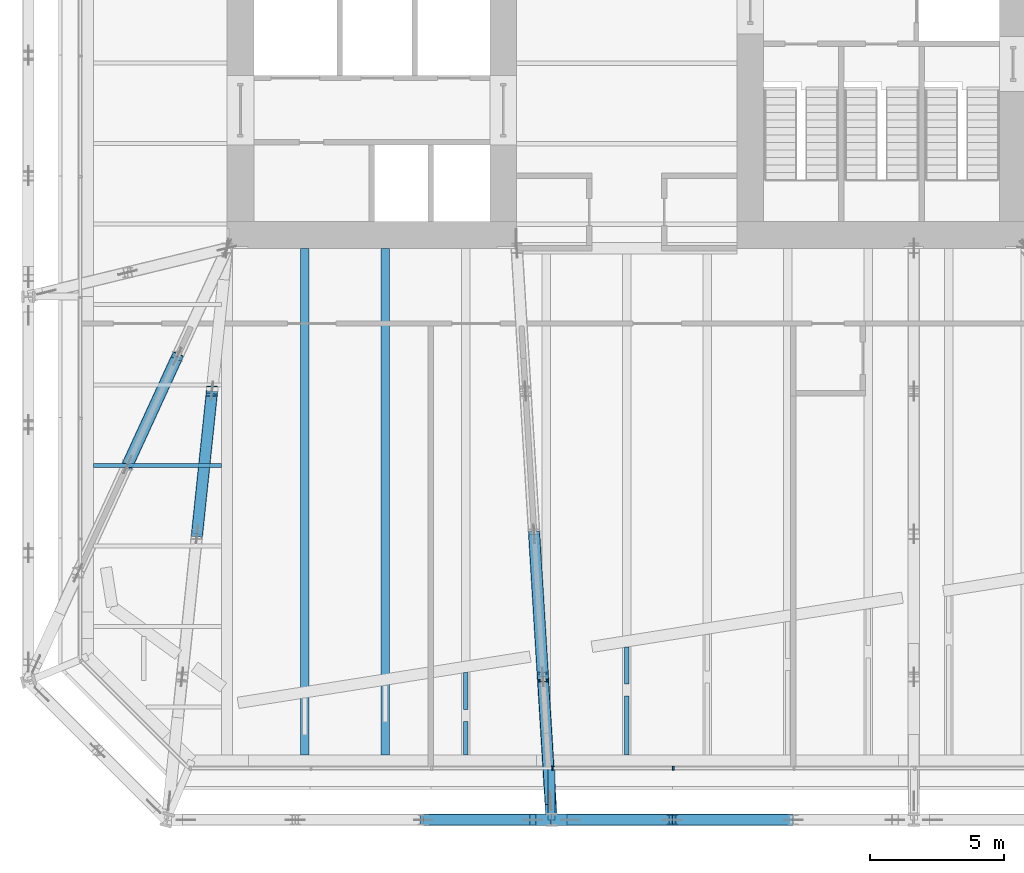
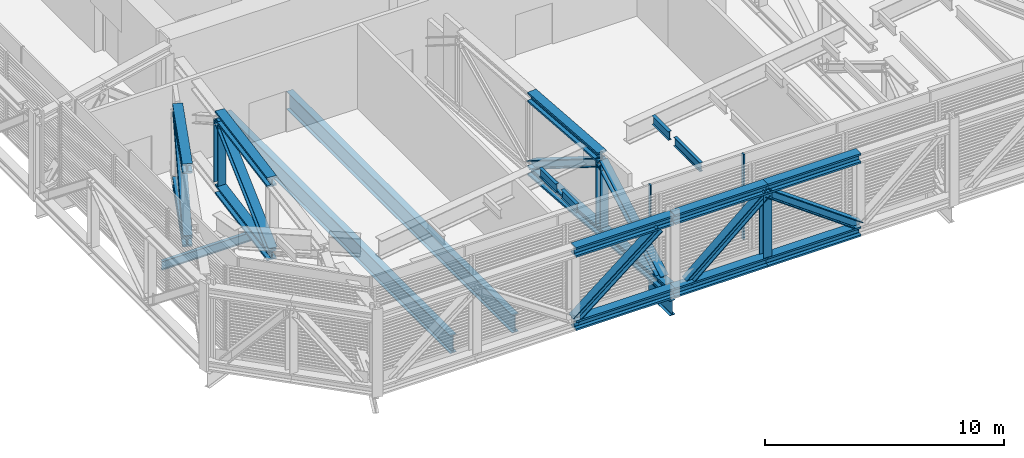
# One storey, part 3 of 31: 21 beams, 12 members, 1 element without a shape of its own.
"""IFC4 building model written with IfcOpenShell, lengths in metres."""

from ifc_helpers import new_model, si_unit, direction, frame, origin, origin_2d, place, context, subcontext, project, spatial, rectangle, i_section, extrude, material, layer, layer_set, material_profile, profile_set, type_object, element, aggregate, save


model = new_model("IFC4")

# Units and contexts
model_context = context("Model", 3, precision=1e-05, world=origin(), true_north=direction((0.0, 1.0)))
body_context = subcontext(model_context, "Body", "Model", "MODEL_VIEW")
ifc_project = project(units=[si_unit("LENGTHUNIT", "METRE"), si_unit("AREAUNIT", "SQUARE_METRE"), si_unit("VOLUMEUNIT", "CUBIC_METRE"), si_unit("PLANEANGLEUNIT", "RADIAN"), si_unit("MASSUNIT", "GRAM", prefix="KILO")], contexts=[model_context])

# Site, building, storey
site_placement = place(None, origin())
site = spatial("IfcSite", under=ifc_project, at=site_placement, CompositionType="ELEMENT")
building_placement = place(site_placement, origin())
building = spatial("IfcBuilding", under=site, at=building_placement, Name="Millrace Tower", CompositionType="ELEMENT")
storey_placement = place(building_placement, frame((0.0, 0.0, 120.39990234375)))
storey = spatial("IfcBuildingStorey", under=building, at=storey_placement, Name="L26", CompositionType="ELEMENT", Elevation=120.39990234375)

# Beams
ifc_material_1 = material(Name="Steel ASTM A992 Grade 50", Category="steel")
ifc_material_profile_1 = material_profile(ifc_material_1, i_section(OverallWidth=0.431884765625, OverallDepth=0.497802734375, WebThickness=0.0556640625, FlangeThickness=0.0888671875, FilletRadius=0.01513671875, at=origin_2d()))
ifc_profile_set_1 = profile_set([ifc_material_profile_1], Name="Steel ASTM A992 Grade 50")
beam_type_1 = type_object("IfcBeamType", Name="Belt truss chord W14x500", PredefinedType="BEAM", material=ifc_profile_set_1)
beam_1_placement = place(storey_placement, frame((-7.576171875, -31.199951171875, 0.2490234375), z_axis=(1.0, 0.0, 0.0), x_axis=(0.0, 1.0, 0.0)))
element("IfcBeam", 1, at=beam_1_placement, inside=storey, type_object=beam_type_1, Name="BLT-L26-R02-B03", PredefinedType="BEAM", context=body_context, shape_type="SweptSolid", body=[
    extrude(i_section(OverallWidth=0.431884765625, OverallDepth=0.497802734375, WebThickness=0.0556640625, FlangeThickness=0.0888671875, FilletRadius=0.01513671875, at=origin_2d()), origin(), (0.0, 0.0, 1.0), 4.776123046875),
])
for number, where, z_axis, x_axis, name in (
    (2, (-2.800048828125, -31.199951171875, 0.2490234375), (1.0, 0.0, 0.0), (0.0, 1.0, 0.0), "BLT-L26-R03-B01"),
    (3, (-2.800048828125, -31.199951171875, 3.9912109375), (1.0, 0.0, 0.0), (0.0, 1.0, 0.0), "BLT-L26-R03-T01"),
    (4, (1.699951171875, -31.199951171875, 0.2490234375), (1.0, 0.0, 0.0), (0.0, 1.0, 0.0), "BLT-L26-R03-B02"),
    (5, (1.699951171875, -31.199951171875, 3.9912109375), (1.0, 0.0, 0.0), (0.0, 1.0, 0.0), "BLT-L26-R03-T02"),
):
    element("IfcBeam", number, at=place(storey_placement, frame(where, z_axis=z_axis, x_axis=x_axis)), inside=storey, type_object=beam_type_1, Name=name, PredefinedType="BEAM", context=body_context, shape_type="SweptSolid", body=[
        extrude(i_section(OverallWidth=0.431884765625, OverallDepth=0.497802734375, WebThickness=0.0556640625, FlangeThickness=0.0888671875, FilletRadius=0.01513671875, at=origin_2d()), origin(), (0.0, 0.0, 1.0), 4.5),
    ])
beam_2_placement = place(storey_placement, frame((-7.576171875, -31.199951171875, 3.9912109375), z_axis=(1.0, 0.0, 0.0), x_axis=(0.0, 1.0, 0.0)))
element("IfcBeam", 6, at=beam_2_placement, inside=storey, type_object=beam_type_1, Name="BLT-L26-R02-T03", PredefinedType="BEAM", context=body_context, shape_type="SweptSolid", body=[
    extrude(i_section(OverallWidth=0.431884765625, OverallDepth=0.497802734375, WebThickness=0.0556640625, FlangeThickness=0.0888671875, FilletRadius=0.01513671875, at=origin_2d()), origin(), (0.0, 0.0, 1.0), 4.730712890625),
])

# Members
ifc_material_2 = material(Name="Steel ASTM A992 Grade 50", Category="steel")
ifc_material_profile_2 = material_profile(ifc_material_2, i_section(OverallWidth=0.4013671875, OverallDepth=0.398681640625, WebThickness=0.02490234375, FlangeThickness=0.03955078125, FilletRadius=0.01513671875, at=origin_2d()))
ifc_profile_set_2 = profile_set([ifc_material_profile_2], Name="Steel ASTM A992 Grade 50")
member_type_1 = type_object("IfcMemberType", Name="Belt truss diagonal W14x211", PredefinedType="BRACE", material=ifc_profile_set_2)
member_1_placement = place(storey_placement, frame((-7.576171875, -31.199951171875, 0.498046875), z_axis=(0.782439131655, 0.0, 0.62272707124), x_axis=(0.0, 1.0, 0.0)))
element("IfcMember", 7, at=member_1_placement, inside=storey, type_object=member_type_1, Name="BLT-L26-R02-D03", PredefinedType="BRACE", context=body_context, shape_type="SweptSolid", body=[
    extrude(i_section(OverallWidth=0.4013671875, OverallDepth=0.398681640625, WebThickness=0.02490234375, FlangeThickness=0.03955078125, FilletRadius=0.01513671875, at=origin_2d()), origin(), (0.0, 0.0, 1.0), 5.20947265625),
])
member_2_placement = place(storey_placement, frame((-2.10009765625, -31.199951171875, 0.498046875), z_axis=(0.760545081281, 0.0, 0.649285129461), x_axis=(0.0, 1.0, 0.0)))
element("IfcMember", 8, at=member_2_placement, inside=storey, type_object=member_type_1, Name="BLT-L26-R03-D01", PredefinedType="BRACE", context=body_context, shape_type="SweptSolid", body=[
    extrude(i_section(OverallWidth=0.4013671875, OverallDepth=0.398681640625, WebThickness=0.02490234375, FlangeThickness=0.03955078125, FilletRadius=0.01513671875, at=origin_2d()), origin(), (0.0, 0.0, 1.0), 4.99658203125),
])
member_3_placement = place(storey_placement, frame((6.199951171875, -31.199951171875, 0.498046875), z_axis=(-0.811180262828, 0.0, 0.584796187742), x_axis=(0.0, -1.0, 0.0)))
element("IfcMember", 9, at=member_3_placement, inside=storey, type_object=member_type_1, Name="BLT-L26-R03-D02", PredefinedType="BRACE", context=body_context, shape_type="SweptSolid", body=[
    extrude(i_section(OverallWidth=0.4013671875, OverallDepth=0.398681640625, WebThickness=0.02490234375, FlangeThickness=0.03955078125, FilletRadius=0.01513671875, at=origin_2d()), origin(), (0.0, 0.0, 1.0), 5.54736328125),
])
ifc_material_3 = material(Name="Steel ASTM A992 Grade 50", Category="steel")
ifc_material_profile_3 = material_profile(ifc_material_3, i_section(OverallWidth=0.398681640625, OverallDepth=0.385986328125, WebThickness=0.02099609375, FlangeThickness=0.033203125, FilletRadius=0.01513671875, at=origin_2d()))
ifc_profile_set_3 = profile_set([ifc_material_profile_3], Name="Steel ASTM A992 Grade 50")
member_type_2 = type_object("IfcMemberType", Name="Belt truss post W14x176", PredefinedType="POST", material=ifc_profile_set_3)
member_4_placement = place(storey_placement, frame((1.699951171875, -31.199951171875, 0.498046875), z_axis=(0.0, 0.0, 1.0), x_axis=(1.0, 0.0, 0.0)))
element("IfcMember", 10, at=member_4_placement, inside=storey, type_object=member_type_2, Name="BLT-L26-R03-V01", PredefinedType="POST", context=body_context, shape_type="SweptSolid", body=[
    extrude(i_section(OverallWidth=0.398681640625, OverallDepth=0.385986328125, WebThickness=0.02099609375, FlangeThickness=0.033203125, FilletRadius=0.01513671875, at=origin_2d()), origin(), (0.0, 0.0, 1.0), 3.244140625),
])

# Curtain wall, members
ifc_material_4 = material(Name="Aluminium and glass", Category="aluminium")
ifc_layer = layer(ifc_material_4, 0.14990234375)
ifc_layer_set = layer_set([ifc_layer], Name="Aluminium and glass")
curtain_wall_type = type_object("IfcCurtainWallType", Name="CW-5 truss and plant storey louvred infill", PredefinedType="NOTDEFINED", material=ifc_layer_set)
curtain_wall_placement = place(storey_placement, origin())
curtain_wall = element("IfcCurtainWall", 11, at=curtain_wall_placement, inside=storey, type_object=curtain_wall_type, Name="Curtain wall B-F02 L26", PredefinedType="NOTDEFINED")
ifc_material_5 = material(Name="Aluminium", Category="aluminium")
ifc_material_profile_4 = material_profile(ifc_material_5, rectangle(XDim=0.06494140625, YDim=0.14990234375, at=origin_2d()))
ifc_profile_set_4 = profile_set([ifc_material_profile_4], Name="Aluminium")
member_type_3 = type_object("IfcMemberType", Name="CW-5 truss and plant storey louvred infill mullion", PredefinedType="MULLION", material=ifc_profile_set_4)
member_5_placement = place(storey_placement, frame((-2.767578125, -29.27490234375, 0.14013671875), z_axis=(0.0, 0.0, 1.0), x_axis=(1.0, 0.0, 0.0)))
member_5 = element("IfcMember", 12, at=member_5_placement, type_object=member_type_3, Name="CW5 mullion B-F02.4", PredefinedType="MULLION", context=body_context, shape_type="SweptSolid", body=[
    extrude(rectangle(XDim=0.06494140625, YDim=0.14990234375, at=origin_2d()), origin(), (0.0, 0.0, 1.0), 4.35986328125),
])
member_6_placement = place(storey_placement, frame((1.732421875, -29.27490234375, 0.14013671875), z_axis=(0.0, 0.0, 1.0), x_axis=(1.0, 0.0, 0.0)))
member_6 = element("IfcMember", 13, at=member_6_placement, type_object=member_type_3, Name="CW5 mullion B-F02.5", PredefinedType="MULLION", context=body_context, shape_type="SweptSolid", body=[
    extrude(rectangle(XDim=0.06494140625, YDim=0.14990234375, at=origin_2d()), origin(), (0.0, 0.0, 1.0), 4.35986328125),
])
aggregate(curtain_wall, [member_5, member_6])

# Beams
ifc_material_6 = material(Name="Steel ASTM A992 Grade 50", Category="steel")
ifc_material_profile_5 = material_profile(ifc_material_6, i_section(OverallWidth=0.15234375, OverallDepth=0.449462890625, WebThickness=0.007568359375, FlangeThickness=0.0107421875, FilletRadius=0.01025390625, at=origin_2d()))
ifc_profile_set_5 = profile_set([ifc_material_profile_5], Name="Steel ASTM A992 Grade 50")
beam_type_2 = type_object("IfcBeamType", Name="Floor beam W18x35", PredefinedType="JOIST", material=ifc_profile_set_5)
beam_3_placement = place(storey_placement, frame((-19.87841796875, -18.0, -0.474609375), z_axis=(1.0, 0.0, 0.0), x_axis=(0.0, 1.0, 0.0)))
element("IfcBeam", 14, at=beam_3_placement, inside=storey, type_object=beam_type_2, Name="BM-B-L26-S1-S007", PredefinedType="JOIST", context=body_context, shape_type="SweptSolid", body=[
    extrude(i_section(OverallWidth=0.15234375, OverallDepth=0.449462890625, WebThickness=0.007568359375, FlangeThickness=0.0107421875, FilletRadius=0.01025390625, at=origin_2d()), origin(), (0.0, 0.0, 1.0), 4.766357421875),
])
beam_4_placement = place(storey_placement, frame((-6.0, -28.7783203125, 4.115234375), z_axis=(0.0, 1.0, 0.0), x_axis=(-1.0, 0.0, 0.0)))
element("IfcBeam", 15, at=beam_4_placement, inside=storey, type_object=beam_type_2, Name="BM-B-L26-R1-S005-a", PredefinedType="JOIST", context=body_context, shape_type="SweptSolid", body=[
    extrude(i_section(OverallWidth=0.15234375, OverallDepth=0.449462890625, WebThickness=0.007568359375, FlangeThickness=0.0107421875, FilletRadius=0.01025390625, at=origin_2d()), origin(), (0.0, 0.0, 1.0), 1.243408203125),
])
beam_5_placement = place(storey_placement, frame((-6.0, -27.08154296875, 4.115234375), z_axis=(0.0, 1.0, 0.0), x_axis=(-1.0, 0.0, 0.0)))
element("IfcBeam", 16, at=beam_5_placement, inside=storey, type_object=beam_type_2, Name="BM-B-L26-R1-S005-b", PredefinedType="JOIST", context=body_context, shape_type="SweptSolid", body=[
    extrude(i_section(OverallWidth=0.15234375, OverallDepth=0.449462890625, WebThickness=0.007568359375, FlangeThickness=0.0107421875, FilletRadius=0.01025390625, at=origin_2d()), origin(), (0.0, 0.0, 1.0), 1.371337890625),
])
beam_6_placement = place(storey_placement, frame((0.0, -28.7783203125, 4.115234375), z_axis=(0.0, 1.0, 0.0), x_axis=(-1.0, 0.0, 0.0)))
element("IfcBeam", 17, at=beam_6_placement, inside=storey, type_object=beam_type_2, Name="BM-B-L26-R1-S007-a", PredefinedType="JOIST", context=body_context, shape_type="SweptSolid", body=[
    extrude(i_section(OverallWidth=0.15234375, OverallDepth=0.449462890625, WebThickness=0.007568359375, FlangeThickness=0.0107421875, FilletRadius=0.01025390625, at=origin_2d()), origin(), (0.0, 0.0, 1.0), 2.19384765625),
])
beam_7_placement = place(storey_placement, frame((0.0, -26.13134765625, 4.115234375), z_axis=(0.0, 1.0, 0.0), x_axis=(-1.0, 0.0, 0.0)))
element("IfcBeam", 18, at=beam_7_placement, inside=storey, type_object=beam_type_2, Name="BM-B-L26-R1-S007-b", PredefinedType="JOIST", context=body_context, shape_type="SweptSolid", body=[
    extrude(i_section(OverallWidth=0.15234375, OverallDepth=0.449462890625, WebThickness=0.007568359375, FlangeThickness=0.0107421875, FilletRadius=0.01025390625, at=origin_2d()), origin(), (0.0, 0.0, 1.0), 1.371337890625),
])
ifc_material_7 = material(Name="Steel ASTM A992 Grade 50", Category="steel")
ifc_material_profile_6 = material_profile(ifc_material_7, i_section(OverallWidth=0.307373046875, OverallDepth=0.927001953125, WebThickness=0.01953125, FlangeThickness=0.031982421875, FilletRadius=0.01904296875, at=origin_2d()))
ifc_profile_set_6 = profile_set([ifc_material_profile_6], Name="Steel ASTM A992 Grade 50")
beam_type_3 = type_object("IfcBeamType", Name="Floor beam W36x194", PredefinedType="JOIST", material=ifc_profile_set_6)
for number, where, z_axis, x_axis, name in (
    (19, (-12.0, -28.7783203125, -0.71337890625), (0.0, 1.0, 0.0), (-1.0, 0.0, 0.0), "BM-B-L26-S1-S041"),
    (20, (-9.0, -28.7783203125, -0.71337890625), (0.0, 1.0, 0.0), (-1.0, 0.0, 0.0), "BM-B-L26-S1-S043"),
):
    element("IfcBeam", number, at=place(storey_placement, frame(where, z_axis=z_axis, x_axis=x_axis)), inside=storey, type_object=beam_type_3, Name=name, PredefinedType="JOIST", context=body_context, shape_type="SweptSolid", body=[
        extrude(i_section(OverallWidth=0.307373046875, OverallDepth=0.927001953125, WebThickness=0.01953125, FlangeThickness=0.031982421875, FilletRadius=0.01904296875, at=origin_2d()), origin(), (0.0, 0.0, 1.0), 18.87841796875),
    ])
ifc_material_8 = material(Name="Steel ASTM A992 Grade 50", Category="steel")
ifc_material_profile_7 = material_profile(ifc_material_8, i_section(OverallWidth=0.2666015625, OverallDepth=0.7568359375, WebThickness=0.013916015625, FlangeThickness=0.019287109375, FilletRadius=0.0166015625, at=origin_2d()))
ifc_profile_set_7 = profile_set([ifc_material_profile_7], Name="Steel ASTM A992 Grade 50")
beam_type_4 = type_object("IfcBeamType", Name="Link beam W30x108", PredefinedType="BEAM", material=ifc_profile_set_7)
beam_8_placement = place(storey_placement, frame((-2.800048828125, -29.199951171875, -0.62841796875), z_axis=(0.0, -1.0, 0.0), x_axis=(1.0, 0.0, 0.0)))
element("IfcBeam", 21, at=beam_8_placement, inside=storey, type_object=beam_type_4, Name="LNK-B-L26-S1-15", PredefinedType="BEAM", context=body_context, shape_type="SweptSolid", body=[
    extrude(i_section(OverallWidth=0.2666015625, OverallDepth=0.7568359375, WebThickness=0.013916015625, FlangeThickness=0.019287109375, FilletRadius=0.0166015625, at=origin_2d()), origin(), (0.0, 0.0, 1.0), 2.0),
])
ifc_material_9 = material(Name="Steel ASTM A992 Grade 50", Category="steel")
ifc_material_profile_8 = material_profile(ifc_material_9, i_section(OverallWidth=0.431884765625, OverallDepth=0.497802734375, WebThickness=0.0556640625, FlangeThickness=0.0888671875, FilletRadius=0.01513671875, at=origin_2d()))
ifc_profile_set_8 = profile_set([ifc_material_profile_8], Name="Steel ASTM A992 Grade 50")
beam_type_5 = type_object("IfcBeamType", Name="Outrigger truss chord W14x500", PredefinedType="BEAM", material=ifc_profile_set_8)
for number, where, z_axis, x_axis, name in (
    (22, (-16.75, -13.93212890625, 0.2490234375), (-0.417046936327, -0.90888495031, 0.0), (0.90888495031, -0.417046936327, 0.0), "BLT-L26-O01-B02"),
    (23, (-16.75, -13.93212890625, 3.9912109375), (-0.417046936327, -0.90888495031, 0.0), (0.90888495031, -0.417046936327, 0.0), "BLT-L26-O01-T02"),
):
    element("IfcBeam", number, at=place(storey_placement, frame(where, z_axis=z_axis, x_axis=x_axis)), inside=storey, type_object=beam_type_5, Name=name, PredefinedType="BEAM", context=body_context, shape_type="SweptSolid", body=[
        extrude(i_section(OverallWidth=0.431884765625, OverallDepth=0.497802734375, WebThickness=0.0556640625, FlangeThickness=0.0888671875, FilletRadius=0.01513671875, at=origin_2d()), origin(), (0.0, 0.0, 1.0), 4.436279296875),
    ])
for number, where, z_axis, x_axis, name in (
    (24, (-15.45703125, -15.22509765625, 0.2490234375), (-0.104058113839, -0.994571218639, 0.0), (0.994571218639, -0.104058113839, 0.0), "BLT-L26-O02-B02"),
    (25, (-15.45703125, -15.22509765625, 3.9912109375), (-0.104058113839, -0.994571218639, 0.0), (0.994571218639, -0.104058113839, 0.0), "BLT-L26-O02-T02"),
):
    element("IfcBeam", number, at=place(storey_placement, frame(where, z_axis=z_axis, x_axis=x_axis)), inside=storey, type_object=beam_type_5, Name=name, PredefinedType="BEAM", context=body_context, shape_type="SweptSolid", body=[
        extrude(i_section(OverallWidth=0.431884765625, OverallDepth=0.497802734375, WebThickness=0.0556640625, FlangeThickness=0.0888671875, FilletRadius=0.01513671875, at=origin_2d()), origin(), (0.0, 0.0, 1.0), 5.35400390625),
    ])
for number, where, z_axis, x_axis, name in (
    (26, (-3.449951171875, -20.550048828125, 0.2490234375), (0.060910944262, -0.99814320459, 0.0), (0.99814320459, 0.060910944262, 0.0), "BLT-L26-O03-B03"),
    (27, (-3.449951171875, -20.550048828125, 3.9912109375), (0.060910944262, -0.99814320459, 0.0), (0.99814320459, 0.060910944262, 0.0), "BLT-L26-O03-T03"),
    (28, (-3.125, -25.875, 0.2490234375), (0.060910944262, -0.99814320459, 0.0), (0.99814320459, 0.060910944262, 0.0), "BLT-L26-O03-B04"),
):
    element("IfcBeam", number, at=place(storey_placement, frame(where, z_axis=z_axis, x_axis=x_axis)), inside=storey, type_object=beam_type_5, Name=name, PredefinedType="BEAM", context=body_context, shape_type="SweptSolid", body=[
        extrude(i_section(OverallWidth=0.431884765625, OverallDepth=0.497802734375, WebThickness=0.0556640625, FlangeThickness=0.0888671875, FilletRadius=0.01513671875, at=origin_2d()), origin(), (0.0, 0.0, 1.0), 5.3349609375),
    ])

# Members
ifc_material_10 = material(Name="Steel ASTM A992 Grade 50", Category="steel")
ifc_material_profile_9 = material_profile(ifc_material_10, i_section(OverallWidth=0.4013671875, OverallDepth=0.398681640625, WebThickness=0.02490234375, FlangeThickness=0.03955078125, FilletRadius=0.01513671875, at=origin_2d()))
ifc_profile_set_9 = profile_set([ifc_material_profile_9], Name="Steel ASTM A992 Grade 50")
member_type_4 = type_object("IfcMemberType", Name="Outrigger truss diagonal W14x211", PredefinedType="BRACE", material=ifc_profile_set_9)
member_7_placement = place(storey_placement, frame((-18.60009765625, -17.964111328125, 0.498046875), z_axis=(0.336636375306, 0.73364340699, 0.590290862373), x_axis=(-0.90888495031, 0.417046936327, 0.0)))
element("IfcMember", 29, at=member_7_placement, inside=storey, type_object=member_type_4, Name="BLT-L26-O01-D02", PredefinedType="BRACE", context=body_context, shape_type="SweptSolid", body=[
    extrude(i_section(OverallWidth=0.4013671875, OverallDepth=0.398681640625, WebThickness=0.02490234375, FlangeThickness=0.03955078125, FilletRadius=0.01513671875, at=origin_2d()), origin(), (0.0, 0.0, 1.0), 5.495849609375),
])
member_8_placement = place(storey_placement, frame((-16.01416015625, -20.550048828125, 0.498046875), z_axis=(0.088995563981, 0.850605716914, 0.518217815155), x_axis=(-0.994571218639, 0.104058113839, 0.0)))
element("IfcMember", 30, at=member_8_placement, inside=storey, type_object=member_type_4, Name="BLT-L26-O02-D02", PredefinedType="BRACE", context=body_context, shape_type="SweptSolid", body=[
    extrude(i_section(OverallWidth=0.4013671875, OverallDepth=0.398681640625, WebThickness=0.02490234375, FlangeThickness=0.03955078125, FilletRadius=0.01513671875, at=origin_2d()), origin(), (0.0, 0.0, 1.0), 6.26025390625),
])
member_9_placement = place(storey_placement, frame((-3.449951171875, -20.550048828125, 0.498046875), z_axis=(0.052043742742, -0.852837019487, 0.519577200263), x_axis=(0.99814320459, 0.060910944262, 0.0)))
element("IfcMember", 31, at=member_9_placement, inside=storey, type_object=member_type_4, Name="BLT-L26-O03-D03", PredefinedType="BRACE", context=body_context, shape_type="SweptSolid", body=[
    extrude(i_section(OverallWidth=0.4013671875, OverallDepth=0.398681640625, WebThickness=0.02490234375, FlangeThickness=0.03955078125, FilletRadius=0.01513671875, at=origin_2d()), origin(), (0.0, 0.0, 1.0), 6.243896484375),
])
member_10_placement = place(storey_placement, frame((-2.842529296875, -30.501220703125, 0.498046875), z_axis=(-0.049929434992, 0.817729354941, 0.573433303523), x_axis=(-0.998141117827, -0.060945130262, 0.0)))
element("IfcMember", 32, at=member_10_placement, inside=storey, type_object=member_type_4, Name="BLT-L26-O03-D04", PredefinedType="BRACE", context=body_context, shape_type="SweptSolid", body=[
    extrude(i_section(OverallWidth=0.4013671875, OverallDepth=0.398681640625, WebThickness=0.02490234375, FlangeThickness=0.03955078125, FilletRadius=0.01513671875, at=origin_2d()), origin(), (0.0, 0.0, 1.0), 5.657470703125),
])
ifc_material_11 = material(Name="Steel ASTM A992 Grade 50", Category="steel")
ifc_material_profile_10 = material_profile(ifc_material_11, i_section(OverallWidth=0.398681640625, OverallDepth=0.385986328125, WebThickness=0.02099609375, FlangeThickness=0.033203125, FilletRadius=0.01513671875, at=origin_2d()))
ifc_profile_set_10 = profile_set([ifc_material_profile_10], Name="Steel ASTM A992 Grade 50")
member_type_5 = type_object("IfcMemberType", Name="Outrigger truss post W14x176", PredefinedType="POST", material=ifc_profile_set_10)
for number, where, z_axis, x_axis, name in (
    (33, (-15.45703125, -15.22509765625, 0.498046875), (0.0, 0.0, 1.0), (1.0, 0.0, 0.0), "BLT-L26-O02-V01"),
    (34, (-3.125, -25.875, 0.498046875), (0.0, 0.0, 1.0), (1.0, 0.0, 0.0), "BLT-L26-O03-V03"),
):
    element("IfcMember", number, at=place(storey_placement, frame(where, z_axis=z_axis, x_axis=x_axis)), inside=storey, type_object=member_type_5, Name=name, PredefinedType="POST", context=body_context, shape_type="SweptSolid", body=[
        extrude(i_section(OverallWidth=0.398681640625, OverallDepth=0.385986328125, WebThickness=0.02099609375, FlangeThickness=0.033203125, FilletRadius=0.01513671875, at=origin_2d()), origin(), (0.0, 0.0, 1.0), 3.244140625),
    ])

save(model, "model.ifc")
